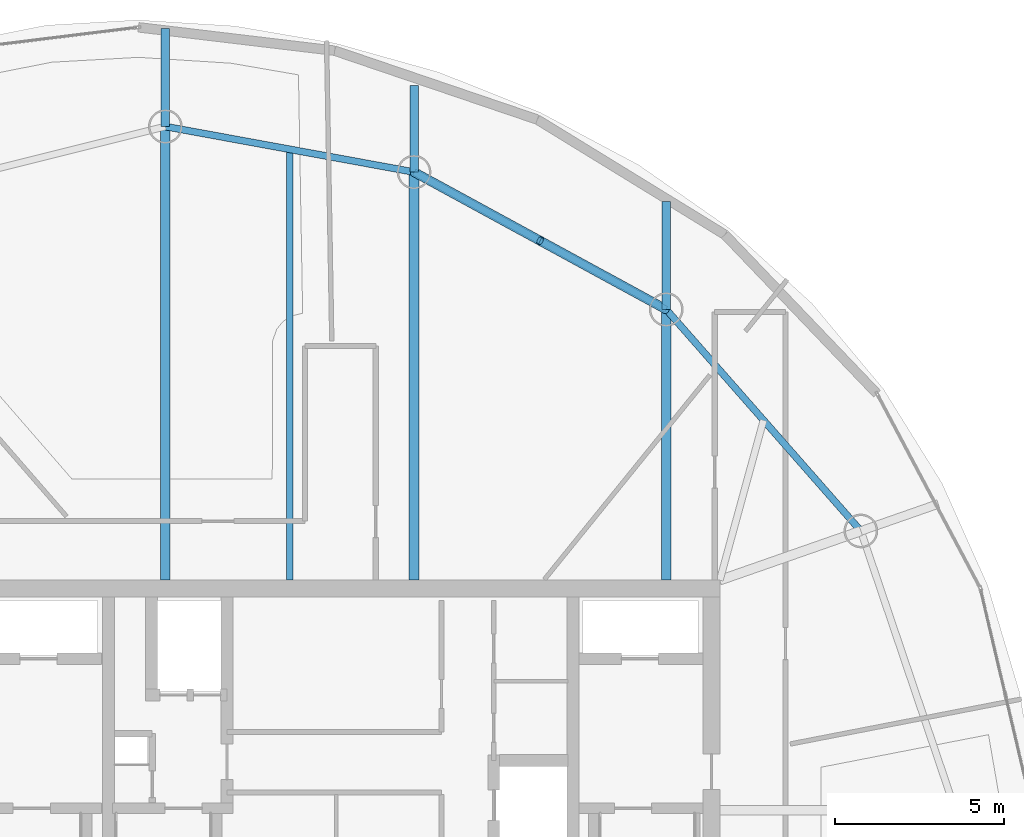
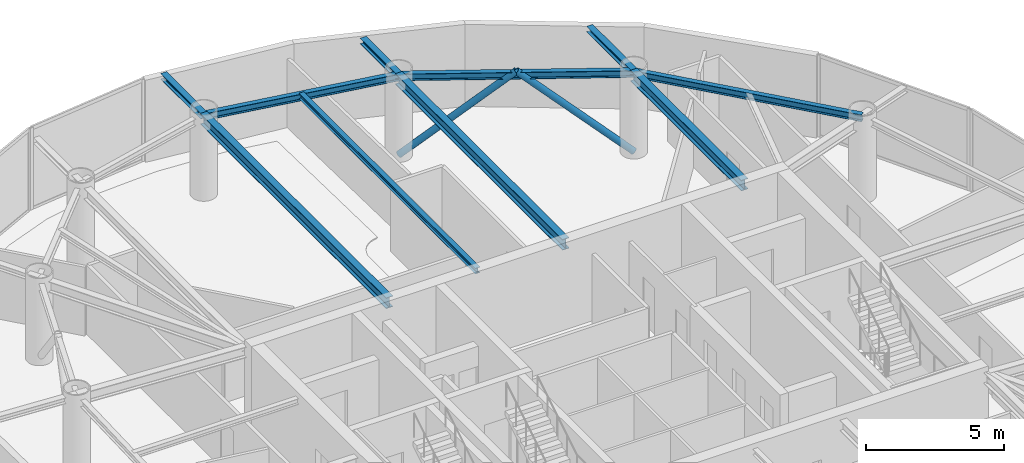
# One storey, part 13 of 21: 10 beams, 2 members.
"""IFC4 building model written with IfcOpenShell, lengths in metres."""

from ifc_helpers import new_model, si_unit, direction, frame, origin, origin_2d, place, context, subcontext, project, spatial, hollow_circle, i_section, extrude, material, material_profile, profile_set, type_object, element, save


model = new_model("IFC4")

# Units and contexts
model_context = context("Model", 3, precision=1e-05, world=origin(), true_north=direction((0.0, 1.0)))
body_context = subcontext(model_context, "Body", "Model", "MODEL_VIEW")
ifc_project = project(units=[si_unit("LENGTHUNIT", "METRE"), si_unit("AREAUNIT", "SQUARE_METRE"), si_unit("VOLUMEUNIT", "CUBIC_METRE"), si_unit("PLANEANGLEUNIT", "RADIAN"), si_unit("MASSUNIT", "GRAM", prefix="KILO")], contexts=[model_context])

# Site, building, storey
site_placement = place(None, origin())
site = spatial("IfcSite", under=ifc_project, at=site_placement, CompositionType="ELEMENT")
building_placement = place(site_placement, origin())
building = spatial("IfcBuilding", under=site, at=building_placement, Name="Bramvorn Convention Spire", CompositionType="ELEMENT")
storey_placement = place(building_placement, frame((0.0, 0.0, 249.75)))
storey = spatial("IfcBuildingStorey", under=building, at=storey_placement, Name="L63", CompositionType="ELEMENT", Elevation=249.75)

# Beams
ifc_material = material(Name="Steel CSA G40.21 Grade 350 (350W)", Category="steel")
ifc_material_profile_1 = material_profile(ifc_material, i_section(OverallWidth=0.201904296875, OverallDepth=0.2470703125, WebThickness=0.00732421875, FlangeThickness=0.010986328125, FilletRadius=0.011962890625, at=origin_2d()))
ifc_profile_set_1 = profile_set([ifc_material_profile_1], Name="Steel CSA G40.21 Grade 350 (350W) - W250X49")
beam_type_1 = type_object("IfcBeamType", Name="BM-W250X49", PredefinedType="JOIST", material=ifc_profile_set_1)
beam_1_placement = place(storey_placement, frame((36.498046875, 33.449951171875, 3.50146484375), z_axis=(0.0, 1.0, 0.0), x_axis=(-1.0, 0.0, 0.0)))
element("IfcBeam", 1, at=beam_1_placement, inside=storey, type_object=beam_type_1, Name="L63 composite floor joist 07", PredefinedType="JOIST", context=body_context, shape_type="SweptSolid", body=[
    extrude(i_section(OverallWidth=0.201904296875, OverallDepth=0.2470703125, WebThickness=0.00732421875, FlangeThickness=0.010986328125, FilletRadius=0.011962890625, at=origin_2d()), origin(), (0.0, 0.0, 1.0), 12.77587890625),
])
ifc_material_profile_2 = material_profile(ifc_material, i_section(OverallWidth=0.25390625, OverallDepth=0.2529296875, WebThickness=0.008544921875, FlangeThickness=0.01416015625, FilletRadius=0.011962890625, at=origin_2d()))
ifc_profile_set_2 = profile_set([ifc_material_profile_2], Name="Steel CSA G40.21 Grade 350 (350W) - W250X73")
beam_type_2 = type_object("IfcBeamType", Name="BM-W250X73", PredefinedType="BEAM", material=ifc_profile_set_2)
beam_2_placement = place(storey_placement, frame((47.662353515625, 41.476806640625, 3.49853515625), z_axis=(0.0, 1.0, 0.0), x_axis=(-1.0, 0.0, 0.0)))
element("IfcBeam", 2, at=beam_2_placement, inside=storey, type_object=beam_type_2, Name="L63 slab-edge cantilever tip beam MC06", PredefinedType="BEAM", context=body_context, shape_type="SweptSolid", body=[
    extrude(i_section(OverallWidth=0.25390625, OverallDepth=0.2529296875, WebThickness=0.008544921875, FlangeThickness=0.01416015625, FilletRadius=0.011962890625, at=origin_2d()), origin(), (0.0, 0.0, 1.0), 3.199951171875),
])
beam_3_placement = place(storey_placement, frame((40.1845703125, 45.55078125, 3.49853515625), z_axis=(0.0, 1.0, 0.0), x_axis=(-1.0, 0.0, 0.0)))
element("IfcBeam", 3, at=beam_3_placement, inside=storey, type_object=beam_type_2, Name="L63 slab-edge cantilever tip beam MC07", PredefinedType="BEAM", context=body_context, shape_type="SweptSolid", body=[
    extrude(i_section(OverallWidth=0.25390625, OverallDepth=0.2529296875, WebThickness=0.008544921875, FlangeThickness=0.01416015625, FilletRadius=0.011962890625, at=origin_2d()), origin(), (0.0, 0.0, 1.0), 2.57373046875),
])
beam_4_placement = place(storey_placement, frame((32.8115234375, 46.90087890625, 3.49853515625), z_axis=(0.0, 1.0, 0.0), x_axis=(-1.0, 0.0, 0.0)))
element("IfcBeam", 4, at=beam_4_placement, inside=storey, type_object=beam_type_2, Name="L63 slab-edge cantilever tip beam MC08", PredefinedType="BEAM", context=body_context, shape_type="SweptSolid", body=[
    extrude(i_section(OverallWidth=0.25390625, OverallDepth=0.2529296875, WebThickness=0.008544921875, FlangeThickness=0.01416015625, FilletRadius=0.011962890625, at=origin_2d()), origin(), (0.0, 0.0, 1.0), 2.910400390625),
])
ifc_material_profile_3 = material_profile(ifc_material, i_section(OverallWidth=0.202880859375, OverallDepth=0.302978515625, WebThickness=0.007568359375, FlangeThickness=0.01318359375, FilletRadius=0.013916015625, at=origin_2d()))
ifc_profile_set_3 = profile_set([ifc_material_profile_3], Name="Steel CSA G40.21 Grade 350 (350W) - W310X60")
beam_type_3 = type_object("IfcBeamType", Name="BM-W310X60", PredefinedType="JOIST", material=ifc_profile_set_3)
beam_5_placement = place(storey_placement, frame((53.4326171875, 34.909912109375, 3.473388671875), z_axis=(-0.660073062339, 0.751201405999, 0.0), x_axis=(-0.751201405999, -0.660073062339, 0.0)))
element("IfcBeam", 5, at=beam_5_placement, inside=storey, type_object=beam_type_3, Name="L63 mega-column ring beam 05", PredefinedType="JOIST", context=body_context, shape_type="SweptSolid", body=[
    extrude(i_section(OverallWidth=0.202880859375, OverallDepth=0.302978515625, WebThickness=0.007568359375, FlangeThickness=0.01318359375, FilletRadius=0.013916015625, at=origin_2d()), origin(), (0.0, 0.0, 1.0), 8.741943359375),
])
beam_6_placement = place(storey_placement, frame((47.662353515625, 41.476806640625, 3.473388671875), z_axis=(-0.878133224771, 0.478416178189, 0.0), x_axis=(-0.478416178189, -0.878133224771, 0.0)))
element("IfcBeam", 6, at=beam_6_placement, inside=storey, type_object=beam_type_3, Name="L63 mega-column ring beam 06", PredefinedType="JOIST", context=body_context, shape_type="SweptSolid", body=[
    extrude(i_section(OverallWidth=0.202880859375, OverallDepth=0.302978515625, WebThickness=0.007568359375, FlangeThickness=0.01318359375, FilletRadius=0.013916015625, at=origin_2d()), origin(), (0.0, 0.0, 1.0), 8.515625),
])
beam_7_placement = place(storey_placement, frame((40.1845703125, 45.55078125, 3.473388671875), z_axis=(-0.983645049461, 0.180117785547, 0.0), x_axis=(-0.180117785547, -0.983645049461, 0.0)))
element("IfcBeam", 7, at=beam_7_placement, inside=storey, type_object=beam_type_3, Name="L63 mega-column ring beam 07", PredefinedType="JOIST", context=body_context, shape_type="SweptSolid", body=[
    extrude(i_section(OverallWidth=0.202880859375, OverallDepth=0.302978515625, WebThickness=0.007568359375, FlangeThickness=0.01318359375, FilletRadius=0.013916015625, at=origin_2d()), origin(), (0.0, 0.0, 1.0), 7.49560546875),
])
ifc_material_profile_4 = material_profile(ifc_material, i_section(OverallWidth=0.283935546875, OverallDepth=0.47607421875, WebThickness=0.014892578125, FlangeThickness=0.02392578125, FilletRadius=0.01806640625, at=origin_2d()))
ifc_profile_set_4 = profile_set([ifc_material_profile_4], Name="Steel CSA G40.21 Grade 350 (350W) - W460X158")
beam_type_4 = type_object("IfcBeamType", Name="BM-W460X158", PredefinedType="SPANDREL", material=ifc_profile_set_4)
beam_8_placement = place(storey_placement, frame((47.662353515625, 33.449951171875, 3.386962890625), z_axis=(0.0, 1.0, 0.0), x_axis=(-1.0, 0.0, 0.0)))
element("IfcBeam", 8, at=beam_8_placement, inside=storey, type_object=beam_type_4, Name="L63 radial floor girder MC06", PredefinedType="SPANDREL", context=body_context, shape_type="SweptSolid", body=[
    extrude(i_section(OverallWidth=0.283935546875, OverallDepth=0.47607421875, WebThickness=0.014892578125, FlangeThickness=0.02392578125, FilletRadius=0.01806640625, at=origin_2d()), origin(), (0.0, 0.0, 1.0), 8.02685546875),
])
beam_9_placement = place(storey_placement, frame((40.1845703125, 33.449951171875, 3.386962890625), z_axis=(0.0, 1.0, 0.0), x_axis=(-1.0, 0.0, 0.0)))
element("IfcBeam", 9, at=beam_9_placement, inside=storey, type_object=beam_type_4, Name="L63 radial floor girder MC07", PredefinedType="SPANDREL", context=body_context, shape_type="SweptSolid", body=[
    extrude(i_section(OverallWidth=0.283935546875, OverallDepth=0.47607421875, WebThickness=0.014892578125, FlangeThickness=0.02392578125, FilletRadius=0.01806640625, at=origin_2d()), origin(), (0.0, 0.0, 1.0), 12.100830078125),
])
beam_10_placement = place(storey_placement, frame((32.8115234375, 33.449951171875, 3.386962890625), z_axis=(0.0, 1.0, 0.0), x_axis=(-1.0, 0.0, 0.0)))
element("IfcBeam", 10, at=beam_10_placement, inside=storey, type_object=beam_type_4, Name="L63 radial floor girder MC08", PredefinedType="SPANDREL", context=body_context, shape_type="SweptSolid", body=[
    extrude(i_section(OverallWidth=0.283935546875, OverallDepth=0.47607421875, WebThickness=0.014892578125, FlangeThickness=0.02392578125, FilletRadius=0.01806640625, at=origin_2d()), origin(), (0.0, 0.0, 1.0), 13.450927734375),
])

# Members
ifc_material_profile_5 = material_profile(ifc_material, hollow_circle(Radius=0.136474609375, WallThickness=0.0126953125, at=origin_2d()))
ifc_profile_set_5 = profile_set([ifc_material_profile_5], Name="Steel CSA G40.21 Grade 350 (350W) - CHS273X13")
member_type = type_object("IfcMemberType", Name="MBR-CHS273X13", PredefinedType="BRACE", material=ifc_profile_set_5)
member_1_placement = place(storey_placement, frame((47.662353515625, 41.476806640625, 0.0), z_axis=(-0.668634081548, 0.364288787231, 0.648245435379), x_axis=(-0.478426241072, -0.878127742332, 0.0)))
element("IfcMember", 11, at=member_1_placement, inside=storey, type_object=member_type, Name="L63 perimeter Gothic lancet brace 6A", PredefinedType="BRACE", context=body_context, shape_type="SweptSolid", body=[
    extrude(hollow_circle(Radius=0.136474609375, WallThickness=0.0126953125, at=origin_2d()), origin(), (0.0, 0.0, 1.0), 5.592041015625),
])
member_2_placement = place(storey_placement, frame((40.1845703125, 45.55078125, 0.0), z_axis=(0.668620574392, -0.364261554927, 0.64827466949), x_axis=(0.478406114461, 0.878138707521, 0.0)))
element("IfcMember", 12, at=member_2_placement, inside=storey, type_object=member_type, Name="L63 perimeter Gothic lancet brace 6B", PredefinedType="BRACE", context=body_context, shape_type="SweptSolid", body=[
    extrude(hollow_circle(Radius=0.136474609375, WallThickness=0.0126953125, at=origin_2d()), origin(), (0.0, 0.0, 1.0), 5.591796875),
])

save(model, "model.ifc")
